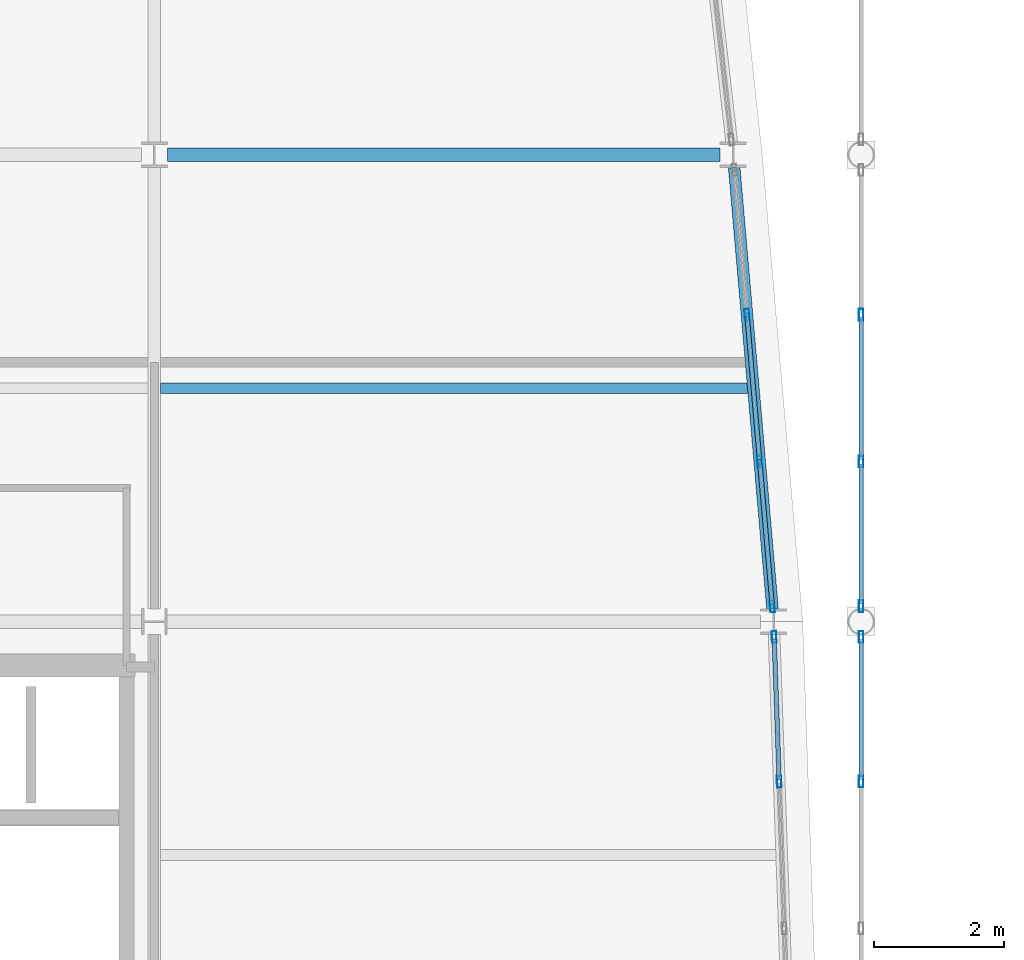
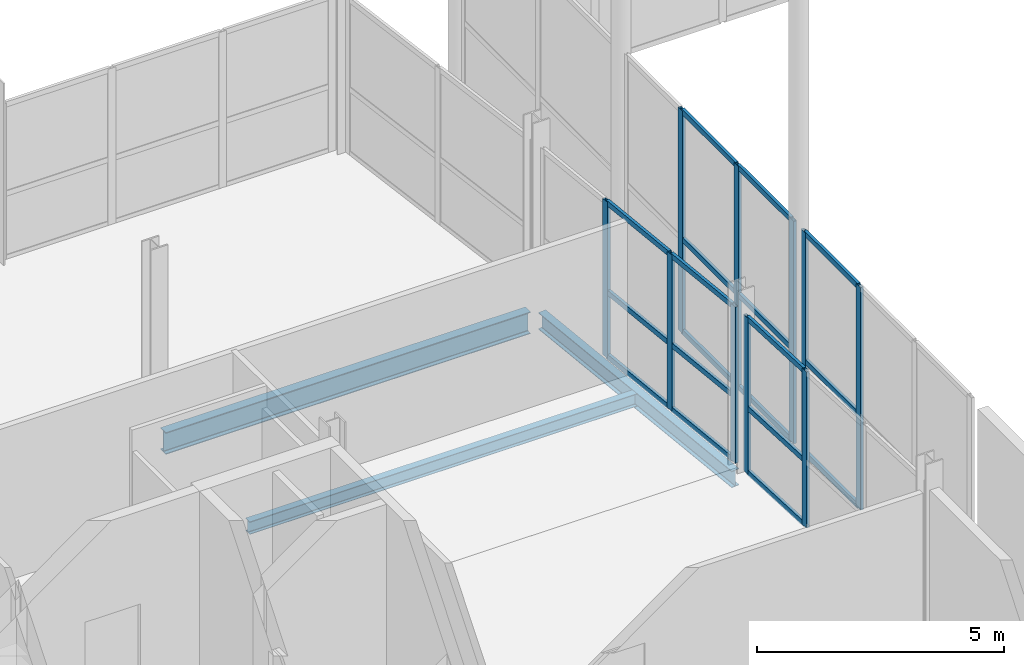
# One storey, part 34 of 77: 28 members, 3 beams, 4 elements without a shape of their own.
"""IFC4 building model written with IfcOpenShell, lengths in metres."""

import ifcopenshell
import ifcopenshell.guid

model = None  # the IFC model being written
_history = None  # IfcOwnerHistory: only IFC2X3 demands one
_inside = {}  # id of a spatial element -> (the spatial element, [elements in it])
_under = {}  # id of a project, library or spatial element -> (it, [spatial elements below it])
_declared = {}  # id of a project -> (the project, [libraries it declares])
_typed = {}  # id of a type object -> (the type object, [elements of that type])
_made_of = {}  # id of a material, layer set ... -> (it, [elements and type objects made of it])


def new_model(schema):
    """Start an empty IFC model of exactly this schema.

    Asked for "IFC4X3", IfcOpenShell would pick the latest addendum, in which some entities
    have other attributes; the version numbers below select the first issue.
    IFC2X3 requires an IfcOwnerHistory on every rooted entity: one is made here for all.
    """
    global model, _history
    if schema == "IFC4X3":
        model = ifcopenshell.file(schema_version=(4, 3, 0, 0))
    else:
        model = ifcopenshell.file(schema=schema)
    _inside.clear()
    _under.clear()
    _declared.clear()
    _typed.clear()
    _made_of.clear()
    _history = None
    if model.schema == "IFC2X3":
        org = make("IfcOrganization", Name="unknown")
        user = make(
            "IfcPersonAndOrganization",
            ThePerson=make("IfcPerson", FamilyName="unknown"),
            TheOrganization=org,
        )
        app = make(
            "IfcApplication",
            ApplicationDeveloper=org,
            Version="unknown",
            ApplicationFullName="unknown",
            ApplicationIdentifier="unknown",
        )
        _history = make(
            "IfcOwnerHistory",
            OwningUser=user,
            OwningApplication=app,
            ChangeAction="ADDED",
            CreationDate=0,
        )
    return model


def make(cls, **values):
    """One entity of the class cls with the attributes given. An attribute that is None is left unset."""
    return model.create_entity(
        cls, **{name: value for name, value in values.items() if value is not None}
    )


def rooted(cls, **values):
    """An entity with a GlobalId (a new one), such as an element, a storey or a relation."""
    return make(cls, GlobalId=ifcopenshell.guid.new(), OwnerHistory=_history, **values)


def si_unit(unit_type, name, prefix=None):
    """IfcSIUnit, for example si_unit("LENGTHUNIT", "METRE", prefix="MILLI")."""
    return make("IfcSIUnit", UnitType=unit_type, Prefix=prefix, Name=name)


def assignment(units):
    """IfcUnitAssignment: the units of a project."""
    return None if units is None else make("IfcUnitAssignment", Units=units)


def point(xyz):
    """IfcCartesianPoint."""
    return None if xyz is None else make("IfcCartesianPoint", Coordinates=xyz)


def direction(xyz):
    """IfcDirection."""
    return None if xyz is None else make("IfcDirection", DirectionRatios=xyz)


def frame(location, z_axis=None, x_axis=None):
    """IfcAxis2Placement3D, a coordinate frame: its origin and axes. An axis left out is left unset."""
    return make(
        "IfcAxis2Placement3D",
        Location=point(location),
        Axis=direction(z_axis),
        RefDirection=direction(x_axis),
    )


def frame_2d(location, x_axis=None):
    """IfcAxis2Placement2D, a coordinate frame in the plane: its origin and x axis."""
    return make(
        "IfcAxis2Placement2D", Location=point(location), RefDirection=direction(x_axis)
    )


def origin():
    """The frame at (0, 0, 0) with its axes left unset."""
    return frame((0.0, 0.0, 0.0))


def origin_2d():
    """The frame at (0, 0) in the plane with its x axis left unset."""
    return frame_2d((0.0, 0.0))


def place(relative_to, where):
    """IfcLocalPlacement: puts the frame where relative to a parent placement (None: the world)."""
    return make(
        "IfcLocalPlacement", PlacementRelTo=relative_to, RelativePlacement=where
    )


def context(
    kind, dimensions, precision=None, world=None, true_north=None, identifier=None
):
    """IfcGeometricRepresentationContext, for example the 3D "Model" context."""
    return make(
        "IfcGeometricRepresentationContext",
        ContextIdentifier=identifier,
        ContextType=kind,
        CoordinateSpaceDimension=dimensions,
        Precision=precision,
        WorldCoordinateSystem=world,
        TrueNorth=true_north,
    )


def subcontext(parent, identifier, kind, view, scale=None):
    """IfcGeometricRepresentationSubContext, for example "Body" below "Model"."""
    return make(
        "IfcGeometricRepresentationSubContext",
        ContextIdentifier=identifier,
        ContextType=kind,
        ParentContext=parent,
        TargetScale=scale,
        TargetView=view,
    )


def project(units=None, contexts=None):
    """IfcProject with its units and contexts."""
    return rooted(
        "IfcProject",
        Name="project",
        RepresentationContexts=contexts,
        UnitsInContext=assignment(units),
    )


def spatial(cls, under=None, at=None, **own):
    """A site, building, storey or space (cls), placed at a placement, below another one or the project."""
    s = rooted(cls, ObjectPlacement=at, **own)
    if under is not None:
        _under.setdefault(under.id(), (under, []))[1].append(s)
    return s


def profile(cls, at=None, kind="AREA", **sizes):
    """A parametric profile (cls). Its sizes go by their IFC names, for example OverallWidth=200.0."""
    return make(cls, ProfileType=kind, Position=at, **sizes)


def hollow_rectangle(**sizes):
    """IfcRectangleHollowProfileDef."""
    return profile("IfcRectangleHollowProfileDef", **sizes)


def i_section(**sizes):
    """IfcIShapeProfileDef."""
    return profile("IfcIShapeProfileDef", **sizes)


def extrude(swept, where, along, depth):
    """IfcExtrudedAreaSolid: the profile swept, set in the frame where, extruded along a direction by depth."""
    return make(
        "IfcExtrudedAreaSolid",
        SweptArea=swept,
        Position=where,
        ExtrudedDirection=direction(along),
        Depth=depth,
    )


def shape(context_of_items, identifier, shape_type, items):
    """IfcShapeRepresentation: the items that make up one representation, for example the "Body"."""
    return make(
        "IfcShapeRepresentation",
        ContextOfItems=context_of_items,
        RepresentationIdentifier=identifier,
        RepresentationType=shape_type,
        Items=items,
    )


def material(Name=None, Category=None):
    """IfcMaterial."""
    return make("IfcMaterial", Name=Name, Category=Category)


def layer(
    of_material, thickness, ventilated=None, Name=None, Category=None, Priority=None
):
    """IfcMaterialLayer: one layer of a wall or slab, of a material (None: an air gap)."""
    return make(
        "IfcMaterialLayer",
        Material=of_material,
        LayerThickness=thickness,
        IsVentilated=ventilated,
        Name=Name,
        Category=Category,
        Priority=Priority,
    )


def layer_set(layers, Name=None):
    """IfcMaterialLayerSet."""
    return make("IfcMaterialLayerSet", MaterialLayers=layers, LayerSetName=Name)


def material_profile(
    of_material, cross_section, Name=None, Category=None, Priority=None
):
    """IfcMaterialProfile: a cross section and its material."""
    return make(
        "IfcMaterialProfile",
        Name=Name,
        Material=of_material,
        Profile=cross_section,
        Priority=Priority,
        Category=Category,
    )


def profile_set(profiles, Name=None, composite=None):
    """IfcMaterialProfileSet."""
    return make(
        "IfcMaterialProfileSet",
        Name=Name,
        MaterialProfiles=profiles,
        CompositeProfile=composite,
    )


def made_of(thing, what):
    """Note that an element or type object is made of a material, layer set ...; save() writes the relation."""
    if what is not None:
        _made_of.setdefault(what.id(), (what, []))[1].append(thing)
    return thing


def type_object(cls, material=None, **own):
    """A type object (cls), such as IfcWallType, which elements share."""
    return made_of(rooted(cls, **own), material)


def element(
    cls,
    number,
    at=None,
    inside=None,
    cuts=None,
    type_object=None,
    material=None,
    context=None,
    identifier="Body",
    shape_type=None,
    held_by="IfcProductDefinitionShape",
    body=None,
    shapes=None,
    **own,
):
    """One element of the class cls, such as IfcWall. Its Tag is "e" and its number.

    at: its placement. inside: the storey or other place that contains it. cuts: it is an
    opening in that element (IfcRelVoidsElement). A single representation is given by context,
    identifier, shape_type and body (its items); several are given by shapes. held_by: the class
    of the entity that holds the representations. save() writes the other relations.
    """
    e = rooted(cls, Tag="e%d" % number, ObjectPlacement=at, **own)
    if body is not None:
        shapes = [shape(context, identifier, shape_type, body)]
    if shapes is not None:
        e.Representation = make(held_by, Representations=shapes)
    if inside is not None:
        _inside.setdefault(inside.id(), (inside, []))[1].append(e)
    if cuts is not None:
        rooted(
            "IfcRelVoidsElement", RelatingBuildingElement=cuts, RelatedOpeningElement=e
        )
    if type_object is not None:
        _typed.setdefault(type_object.id(), (type_object, []))[1].append(e)
    return made_of(e, material)


def aggregate(whole, parts):
    """IfcRelAggregates: a whole, such as a stair, and the parts it consists of."""
    return rooted("IfcRelAggregates", RelatingObject=whole, RelatedObjects=parts)


def save(model, path):
    """Write the relations noted so far, then the file.

    IfcRelAggregates (storeys below a building ...), IfcRelContainedInSpatialStructure (elements
    in a storey), IfcRelDefinesByType, IfcRelAssociatesMaterial and IfcRelDeclares: one each for
    every whole, place, type object, material and project.
    """
    for whole, parts in _under.values():
        aggregate(whole, parts)
    for where, things in _inside.values():
        rooted(
            "IfcRelContainedInSpatialStructure",
            RelatedElements=things,
            RelatingStructure=where,
        )
    for kind, things in _typed.values():
        rooted("IfcRelDefinesByType", RelatedObjects=things, RelatingType=kind)
    for what, things in _made_of.values():
        rooted("IfcRelAssociatesMaterial", RelatedObjects=things, RelatingMaterial=what)
    for by, libraries in _declared.values():
        rooted("IfcRelDeclares", RelatingContext=by, RelatedDefinitions=libraries)
    model.write(path)


model = new_model("IFC4")

# Units and contexts
model_context = context("Model", 3, precision=1e-05, world=origin(), true_north=direction((0.0, 1.0)))
body_context = subcontext(model_context, "Body", "Model", "MODEL_VIEW")
ifc_project = project(units=[si_unit("LENGTHUNIT", "METRE"), si_unit("AREAUNIT", "SQUARE_METRE"), si_unit("VOLUMEUNIT", "CUBIC_METRE"), si_unit("PLANEANGLEUNIT", "RADIAN"), si_unit("MASSUNIT", "GRAM", prefix="KILO")], contexts=[model_context])

# Site, building, storey
site_placement = place(None, origin())
site = spatial("IfcSite", under=ifc_project, at=site_placement, CompositionType="ELEMENT")
building_placement = place(site_placement, origin())
building = spatial("IfcBuilding", under=site, at=building_placement, Name="Quillay Park Conservatory", CompositionType="ELEMENT")
storey_placement = place(building_placement, frame((0.0, 0.0, 5.39990234375)))
storey = spatial("IfcBuildingStorey", under=building, at=storey_placement, Name="L01", CompositionType="ELEMENT", Elevation=5.39990234375)

# Beam
ifc_material_1 = material(Name="Steel ASTM A992 Grade 50", Category="steel")
ifc_material_profile_1 = material_profile(ifc_material_1, i_section(OverallWidth=0.166015625, OverallDepth=0.31298828125, WebThickness=0.006591796875, FlangeThickness=0.01123046875, FilletRadius=0.010009765625, at=origin_2d()), Name="W310x45")
ifc_profile_set_1 = profile_set([ifc_material_profile_1], Name="Steel ASTM A992 Grade 50")
beam_type_1 = type_object("IfcBeamType", Name="COMPOSITE FLOOR JOIST W310 X45", PredefinedType="JOIST", material=ifc_profile_set_1)
beam_1_placement = place(storey_placement, frame((19.845947265625, 103.199951171875, -0.3564453125), z_axis=(1.0, 0.0, 0.0), x_axis=(0.0, 1.0, 0.0)))
element("IfcBeam", 1, at=beam_1_placement, inside=storey, type_object=beam_type_1, Name="L01 beam BM-J-0167", PredefinedType="JOIST", context=body_context, shape_type="SweptSolid", body=[
    extrude(i_section(OverallWidth=0.166015625, OverallDepth=0.31298828125, WebThickness=0.006591796875, FlangeThickness=0.01123046875, FilletRadius=0.010009765625, at=origin_2d()), origin(), (0.0, 0.0, 1.0), 9.051513671875),
])

# Curtain wall, members
ifc_material_2 = material(Name="Thermally Broken Anodised Aluminium 6063-T6", Category="aluminium")
ifc_layer_1 = layer(ifc_material_2, 0.179931640625)
ifc_layer_set_1 = layer_set([ifc_layer_1], Name="UNITISED CURTAIN WALL TOWER (Thermally Broken Anodised Aluminium 6063-T6)")
curtain_wall_type_1 = type_object("IfcCurtainWallType", Name="UNITISED CURTAIN WALL TOWER", PredefinedType="USERDEFINED", material=ifc_layer_set_1)
curtain_wall_1_placement = place(storey_placement, origin())
curtain_wall_1 = element("IfcCurtainWall", 2, at=curtain_wall_1_placement, inside=storey, type_object=curtain_wall_type_1, Name="L01 Unitised Curtain Wall 013", ObjectType="UNITISED CURTAIN WALL", PredefinedType="USERDEFINED")
ifc_material_3 = material(Name="Thermally Broken Anodised Aluminium 6063-T6", Category="aluminium")
ifc_material_profile_2 = material_profile(ifc_material_3, hollow_rectangle(XDim=0.070068359375, YDim=0.179931640625, WallThickness=0.00390625, at=origin_2d()), Name="AL70x180x4")
ifc_profile_set_2 = profile_set([ifc_material_profile_2], Name="Thermally Broken Anodised Aluminium 6063-T6")
member_type_1 = type_object("IfcMemberType", Name="CURTAIN WALL MULLION 70 X180", PredefinedType="MULLION", material=ifc_profile_set_2)
member_1_placement = place(storey_placement, frame((29.30810546875, 99.365234375, 0.0), z_axis=(0.0, 0.0, 1.0), x_axis=(0.999397310446, 0.034713338537, 0.0)))
member_1 = element("IfcMember", 3, at=member_1_placement, type_object=member_type_1, Name="CW-T1 mullion 1", PredefinedType="MULLION", context=body_context, shape_type="SweptSolid", body=[
    extrude(hollow_rectangle(XDim=0.070068359375, YDim=0.179931640625, WallThickness=0.00390625, at=origin_2d()), origin(), (0.0, 0.0, 1.0), 3.859130859375),
])
member_2_placement = place(storey_placement, frame((29.3857421875, 97.13330078125, 0.0), z_axis=(0.0, 0.0, 1.0), x_axis=(0.999397310446, 0.034713338537, 0.0)))
member_2 = element("IfcMember", 4, at=member_2_placement, type_object=member_type_1, Name="CW-T1 mullion 2", PredefinedType="MULLION", context=body_context, shape_type="SweptSolid", body=[
    extrude(hollow_rectangle(XDim=0.070068359375, YDim=0.179931640625, WallThickness=0.00390625, at=origin_2d()), origin(), (0.0, 0.0, 1.0), 3.859130859375),
])

curtain_wall_2_placement = place(storey_placement, origin())
curtain_wall_2 = element("IfcCurtainWall", 5, at=curtain_wall_2_placement, inside=storey, type_object=curtain_wall_type_1, Name="L01 Unitised Curtain Wall 014", ObjectType="UNITISED CURTAIN WALL", PredefinedType="USERDEFINED")
member_3_placement = place(storey_placement, frame((28.88916015625, 104.33349609375, 0.0), z_axis=(0.0, 0.0, 1.0), x_axis=(0.996253548413, 0.086480444465, 0.0)))
member_3 = element("IfcMember", 6, at=member_3_placement, type_object=member_type_1, Name="CW-T1 mullion 2", PredefinedType="MULLION", context=body_context, shape_type="SweptSolid", body=[
    extrude(hollow_rectangle(XDim=0.070068359375, YDim=0.179931640625, WallThickness=0.00390625, at=origin_2d()), origin(), (0.0, 0.0, 1.0), 3.859130859375),
])
member_4_placement = place(storey_placement, frame((29.0859375, 102.06640625, 0.0), z_axis=(0.0, 0.0, 1.0), x_axis=(0.996253548413, 0.086480444465, 0.0)))
member_4 = element("IfcMember", 7, at=member_4_placement, type_object=member_type_1, Name="CW-T1 mullion 3", PredefinedType="MULLION", context=body_context, shape_type="SweptSolid", body=[
    extrude(hollow_rectangle(XDim=0.070068359375, YDim=0.179931640625, WallThickness=0.00390625, at=origin_2d()), origin(), (0.0, 0.0, 1.0), 3.859130859375),
])
member_5_placement = place(storey_placement, frame((29.27978515625, 99.834228515625, 0.0), z_axis=(0.0, 0.0, 1.0), x_axis=(0.996253548413, 0.086480444465, 0.0)))
member_5 = element("IfcMember", 8, at=member_5_placement, type_object=member_type_1, Name="CW-T1 mullion 4", PredefinedType="MULLION", context=body_context, shape_type="SweptSolid", body=[
    extrude(hollow_rectangle(XDim=0.070068359375, YDim=0.179931640625, WallThickness=0.00390625, at=origin_2d()), origin(), (0.0, 0.0, 1.0), 3.859130859375),
])

ifc_material_4 = material(Name="Thermally Broken Anodised Aluminium 6063-T6", Category="aluminium")
ifc_layer_2 = layer(ifc_material_4, 0.219970703125)
ifc_layer_set_2 = layer_set([ifc_layer_2], Name="UNITISED CURTAIN WALL CONSERVATORY (Thermally Broken Anodised Aluminium 6063-T6)")
curtain_wall_type_2 = type_object("IfcCurtainWallType", Name="UNITISED CURTAIN WALL CONSERVATORY", PredefinedType="USERDEFINED", material=ifc_layer_set_2)
curtain_wall_3_placement = place(storey_placement, origin())
curtain_wall_3 = element("IfcCurtainWall", 9, at=curtain_wall_3_placement, inside=storey, type_object=curtain_wall_type_2, Name="L01 Unitised Curtain Wall 164", ObjectType="UNITISED CURTAIN WALL", PredefinedType="USERDEFINED")
member_6_placement = place(storey_placement, frame((30.64990234375, 97.132568359375, 0.0), z_axis=(0.0, 0.0, 1.0), x_axis=(-1.0, 0.0, 0.0)))
member_6 = element("IfcMember", 10, at=member_6_placement, type_object=member_type_1, Name="CW-C1 mullion 3", PredefinedType="MULLION", context=body_context, shape_type="SweptSolid", body=[
    extrude(hollow_rectangle(XDim=0.070068359375, YDim=0.179931640625, WallThickness=0.00390625, at=origin_2d()), origin(), (0.0, 0.0, 1.0), 5.5),
])
member_7_placement = place(storey_placement, frame((30.64990234375, 99.363037109375, 0.0), z_axis=(0.0, 0.0, 1.0), x_axis=(-1.0, 0.0, 0.0)))
member_7 = element("IfcMember", 11, at=member_7_placement, type_object=member_type_1, Name="CW-C1 mullion 4", PredefinedType="MULLION", context=body_context, shape_type="SweptSolid", body=[
    extrude(hollow_rectangle(XDim=0.070068359375, YDim=0.179931640625, WallThickness=0.00390625, at=origin_2d()), origin(), (0.0, 0.0, 1.0), 5.5),
])

curtain_wall_4_placement = place(storey_placement, origin())
curtain_wall_4 = element("IfcCurtainWall", 12, at=curtain_wall_4_placement, inside=storey, type_object=curtain_wall_type_2, Name="L01 Unitised Curtain Wall 168", ObjectType="UNITISED CURTAIN WALL", PredefinedType="USERDEFINED")
member_8_placement = place(storey_placement, frame((30.64990234375, 99.8369140625, 0.0), z_axis=(0.0, 0.0, 1.0), x_axis=(-1.0, 0.0, 0.0)))
member_8 = element("IfcMember", 13, at=member_8_placement, type_object=member_type_1, Name="CW-C1 mullion 1", PredefinedType="MULLION", context=body_context, shape_type="SweptSolid", body=[
    extrude(hollow_rectangle(XDim=0.070068359375, YDim=0.179931640625, WallThickness=0.00390625, at=origin_2d()), origin(), (0.0, 0.0, 1.0), 5.5),
])
member_9_placement = place(storey_placement, frame((30.64990234375, 102.0673828125, 0.0), z_axis=(0.0, 0.0, 1.0), x_axis=(-1.0, 0.0, 0.0)))
member_9 = element("IfcMember", 14, at=member_9_placement, type_object=member_type_1, Name="CW-C1 mullion 2", PredefinedType="MULLION", context=body_context, shape_type="SweptSolid", body=[
    extrude(hollow_rectangle(XDim=0.070068359375, YDim=0.179931640625, WallThickness=0.00390625, at=origin_2d()), origin(), (0.0, 0.0, 1.0), 5.5),
])
member_10_placement = place(storey_placement, frame((30.64990234375, 104.332763671875, 0.0), z_axis=(0.0, 0.0, 1.0), x_axis=(-1.0, 0.0, 0.0)))
member_10 = element("IfcMember", 15, at=member_10_placement, type_object=member_type_1, Name="CW-C1 mullion 3", PredefinedType="MULLION", context=body_context, shape_type="SweptSolid", body=[
    extrude(hollow_rectangle(XDim=0.070068359375, YDim=0.179931640625, WallThickness=0.00390625, at=origin_2d()), origin(), (0.0, 0.0, 1.0), 5.5),
])

# Member
ifc_material_5 = material(Name="Thermally Broken Anodised Aluminium 6063-T6", Category="aluminium")
ifc_material_profile_3 = material_profile(ifc_material_5, hollow_rectangle(XDim=0.070068359375, YDim=0.1298828125, WallThickness=0.003173828125, at=origin_2d()), Name="AL70x130x3.2")
ifc_profile_set_3 = profile_set([ifc_material_profile_3], Name="Thermally Broken Anodised Aluminium 6063-T6")
member_type_2 = type_object("IfcMemberType", Name="CURTAIN WALL TRANSOM 70 X130", PredefinedType="USERDEFINED", material=ifc_profile_set_3)
member_11_placement = place(storey_placement, frame((29.309326171875, 99.330078125, 0.03515625), z_axis=(0.034765508592, -0.999395496994, 0.0), x_axis=(0.999395496994, 0.034765508592, 0.0)))
member_11 = element("IfcMember", 16, at=member_11_placement, type_object=member_type_2, Name="CW-T1 transom 1.1", ObjectType="TRANSOM", PredefinedType="USERDEFINED", context=body_context, shape_type="SweptSolid", body=[
    extrude(hollow_rectangle(XDim=0.070068359375, YDim=0.1298828125, WallThickness=0.003173828125, at=origin_2d()), origin(), (0.0, 0.0, 1.0), 2.162841796875),
])

member_12_placement = place(storey_placement, frame((29.309326171875, 99.330078125, 1.620849609375), z_axis=(0.034765508592, -0.999395496994, 0.0), x_axis=(0.999395496994, 0.034765508592, 0.0)))
member_12 = element("IfcMember", 17, at=member_12_placement, type_object=member_type_2, Name="CW-T1 transom 1.2", ObjectType="TRANSOM", PredefinedType="USERDEFINED", context=body_context, shape_type="SweptSolid", body=[
    extrude(hollow_rectangle(XDim=0.070068359375, YDim=0.1298828125, WallThickness=0.003173828125, at=origin_2d()), origin(), (0.0, 0.0, 1.0), 2.162841796875),
])

member_13_placement = place(storey_placement, frame((29.309326171875, 99.330078125, 3.82421875), z_axis=(0.034765508592, -0.999395496994, 0.0), x_axis=(0.999395496994, 0.034765508592, 0.0)))
member_13 = element("IfcMember", 18, at=member_13_placement, type_object=member_type_2, Name="CW-T1 transom 1.3", ObjectType="TRANSOM", PredefinedType="USERDEFINED", context=body_context, shape_type="SweptSolid", body=[
    extrude(hollow_rectangle(XDim=0.070068359375, YDim=0.1298828125, WallThickness=0.003173828125, at=origin_2d()), origin(), (0.0, 0.0, 1.0), 2.162841796875),
])

aggregate(curtain_wall_1, [member_1, member_2, member_11, member_12, member_13])

member_14_placement = place(storey_placement, frame((28.89208984375, 104.298583984375, 0.03515625), z_axis=(0.086452876664, -0.99625594107, 0.0), x_axis=(0.99625594107, 0.086452876664, 0.0)))
member_14 = element("IfcMember", 19, at=member_14_placement, type_object=member_type_2, Name="CW-T1 transom 2.1", ObjectType="TRANSOM", PredefinedType="USERDEFINED", context=body_context, shape_type="SweptSolid", body=[
    extrude(hollow_rectangle(XDim=0.070068359375, YDim=0.1298828125, WallThickness=0.003173828125, at=origin_2d()), origin(), (0.0, 0.0, 1.0), 2.20556640625),
])

member_15_placement = place(storey_placement, frame((28.89208984375, 104.298583984375, 1.620849609375), z_axis=(0.086452876664, -0.99625594107, 0.0), x_axis=(0.99625594107, 0.086452876664, 0.0)))
member_15 = element("IfcMember", 20, at=member_15_placement, type_object=member_type_2, Name="CW-T1 transom 2.2", ObjectType="TRANSOM", PredefinedType="USERDEFINED", context=body_context, shape_type="SweptSolid", body=[
    extrude(hollow_rectangle(XDim=0.070068359375, YDim=0.1298828125, WallThickness=0.003173828125, at=origin_2d()), origin(), (0.0, 0.0, 1.0), 2.20556640625),
])

member_16_placement = place(storey_placement, frame((28.89208984375, 104.298583984375, 3.82421875), z_axis=(0.086452876664, -0.99625594107, 0.0), x_axis=(0.99625594107, 0.086452876664, 0.0)))
member_16 = element("IfcMember", 21, at=member_16_placement, type_object=member_type_2, Name="CW-T1 transom 2.3", ObjectType="TRANSOM", PredefinedType="USERDEFINED", context=body_context, shape_type="SweptSolid", body=[
    extrude(hollow_rectangle(XDim=0.070068359375, YDim=0.1298828125, WallThickness=0.003173828125, at=origin_2d()), origin(), (0.0, 0.0, 1.0), 2.20556640625),
])

member_17_placement = place(storey_placement, frame((29.0888671875, 102.031494140625, 0.03515625), z_axis=(0.086498562623, -0.996251975488, 0.0), x_axis=(0.996251975488, 0.086498562623, 0.0)))
member_17 = element("IfcMember", 22, at=member_17_placement, type_object=member_type_2, Name="CW-T1 transom 3.1", ObjectType="TRANSOM", PredefinedType="USERDEFINED", context=body_context, shape_type="SweptSolid", body=[
    extrude(hollow_rectangle(XDim=0.070068359375, YDim=0.1298828125, WallThickness=0.003173828125, at=origin_2d()), origin(), (0.0, 0.0, 1.0), 2.17041015625),
])

member_18_placement = place(storey_placement, frame((29.0888671875, 102.031494140625, 1.620849609375), z_axis=(0.086498562623, -0.996251975488, 0.0), x_axis=(0.996251975488, 0.086498562623, 0.0)))
member_18 = element("IfcMember", 23, at=member_18_placement, type_object=member_type_2, Name="CW-T1 transom 3.2", ObjectType="TRANSOM", PredefinedType="USERDEFINED", context=body_context, shape_type="SweptSolid", body=[
    extrude(hollow_rectangle(XDim=0.070068359375, YDim=0.1298828125, WallThickness=0.003173828125, at=origin_2d()), origin(), (0.0, 0.0, 1.0), 2.17041015625),
])

member_19_placement = place(storey_placement, frame((29.0888671875, 102.031494140625, 3.82421875), z_axis=(0.086498562623, -0.996251975488, 0.0), x_axis=(0.996251975488, 0.086498562623, 0.0)))
member_19 = element("IfcMember", 24, at=member_19_placement, type_object=member_type_2, Name="CW-T1 transom 3.3", ObjectType="TRANSOM", PredefinedType="USERDEFINED", context=body_context, shape_type="SweptSolid", body=[
    extrude(hollow_rectangle(XDim=0.070068359375, YDim=0.1298828125, WallThickness=0.003173828125, at=origin_2d()), origin(), (0.0, 0.0, 1.0), 2.17041015625),
])

aggregate(curtain_wall_2, [member_3, member_4, member_5, member_14, member_15, member_16, member_17, member_18, member_19])

member_20_placement = place(storey_placement, frame((30.64990234375, 97.167724609375, 0.03515625), z_axis=(0.0, 1.0, 0.0), x_axis=(-1.0, 0.0, 0.0)))
member_20 = element("IfcMember", 25, at=member_20_placement, type_object=member_type_2, Name="CW-C1 transom 3.1", ObjectType="TRANSOM", PredefinedType="USERDEFINED", context=body_context, shape_type="SweptSolid", body=[
    extrude(hollow_rectangle(XDim=0.070068359375, YDim=0.1298828125, WallThickness=0.003173828125, at=origin_2d()), origin(), (0.0, 0.0, 1.0), 2.16015625),
])

member_21_placement = place(storey_placement, frame((30.64990234375, 97.167724609375, 2.31005859375), z_axis=(0.0, 1.0, 0.0), x_axis=(-1.0, 0.0, 0.0)))
member_21 = element("IfcMember", 26, at=member_21_placement, type_object=member_type_2, Name="CW-C1 transom 3.2", ObjectType="TRANSOM", PredefinedType="USERDEFINED", context=body_context, shape_type="SweptSolid", body=[
    extrude(hollow_rectangle(XDim=0.070068359375, YDim=0.1298828125, WallThickness=0.003173828125, at=origin_2d()), origin(), (0.0, 0.0, 1.0), 2.16015625),
])

member_22_placement = place(storey_placement, frame((30.64990234375, 97.167724609375, 5.465087890625), z_axis=(0.0, 1.0, 0.0), x_axis=(-1.0, 0.0, 0.0)))
member_22 = element("IfcMember", 27, at=member_22_placement, type_object=member_type_2, Name="CW-C1 transom 3.3", ObjectType="TRANSOM", PredefinedType="USERDEFINED", context=body_context, shape_type="SweptSolid", body=[
    extrude(hollow_rectangle(XDim=0.070068359375, YDim=0.1298828125, WallThickness=0.003173828125, at=origin_2d()), origin(), (0.0, 0.0, 1.0), 2.16015625),
])

aggregate(curtain_wall_3, [member_6, member_7, member_20, member_21, member_22])

member_23_placement = place(storey_placement, frame((30.64990234375, 99.8720703125, 0.03515625), z_axis=(0.0, 1.0, 0.0), x_axis=(-1.0, 0.0, 0.0)))
member_23 = element("IfcMember", 28, at=member_23_placement, type_object=member_type_2, Name="CW-C1 transom 1.1", ObjectType="TRANSOM", PredefinedType="USERDEFINED", context=body_context, shape_type="SweptSolid", body=[
    extrude(hollow_rectangle(XDim=0.070068359375, YDim=0.1298828125, WallThickness=0.003173828125, at=origin_2d()), origin(), (0.0, 0.0, 1.0), 2.16015625),
])

member_24_placement = place(storey_placement, frame((30.64990234375, 99.8720703125, 2.31005859375), z_axis=(0.0, 1.0, 0.0), x_axis=(-1.0, 0.0, 0.0)))
member_24 = element("IfcMember", 29, at=member_24_placement, type_object=member_type_2, Name="CW-C1 transom 1.2", ObjectType="TRANSOM", PredefinedType="USERDEFINED", context=body_context, shape_type="SweptSolid", body=[
    extrude(hollow_rectangle(XDim=0.070068359375, YDim=0.1298828125, WallThickness=0.003173828125, at=origin_2d()), origin(), (0.0, 0.0, 1.0), 2.16015625),
])

member_25_placement = place(storey_placement, frame((30.64990234375, 99.8720703125, 5.465087890625), z_axis=(0.0, 1.0, 0.0), x_axis=(-1.0, 0.0, 0.0)))
member_25 = element("IfcMember", 30, at=member_25_placement, type_object=member_type_2, Name="CW-C1 transom 1.3", ObjectType="TRANSOM", PredefinedType="USERDEFINED", context=body_context, shape_type="SweptSolid", body=[
    extrude(hollow_rectangle(XDim=0.070068359375, YDim=0.1298828125, WallThickness=0.003173828125, at=origin_2d()), origin(), (0.0, 0.0, 1.0), 2.16015625),
])

member_26_placement = place(storey_placement, frame((30.64990234375, 102.102294921875, 0.03515625), z_axis=(0.0, 1.0, 0.0), x_axis=(-1.0, 0.0, 0.0)))
member_26 = element("IfcMember", 31, at=member_26_placement, type_object=member_type_2, Name="CW-C1 transom 2.1", ObjectType="TRANSOM", PredefinedType="USERDEFINED", context=body_context, shape_type="SweptSolid", body=[
    extrude(hollow_rectangle(XDim=0.070068359375, YDim=0.1298828125, WallThickness=0.003173828125, at=origin_2d()), origin(), (0.0, 0.0, 1.0), 2.1953125),
])

member_27_placement = place(storey_placement, frame((30.64990234375, 102.102294921875, 2.31005859375), z_axis=(0.0, 1.0, 0.0), x_axis=(-1.0, 0.0, 0.0)))
member_27 = element("IfcMember", 32, at=member_27_placement, type_object=member_type_2, Name="CW-C1 transom 2.2", ObjectType="TRANSOM", PredefinedType="USERDEFINED", context=body_context, shape_type="SweptSolid", body=[
    extrude(hollow_rectangle(XDim=0.070068359375, YDim=0.1298828125, WallThickness=0.003173828125, at=origin_2d()), origin(), (0.0, 0.0, 1.0), 2.1953125),
])

member_28_placement = place(storey_placement, frame((30.64990234375, 102.102294921875, 5.465087890625), z_axis=(0.0, 1.0, 0.0), x_axis=(-1.0, 0.0, 0.0)))
member_28 = element("IfcMember", 33, at=member_28_placement, type_object=member_type_2, Name="CW-C1 transom 2.3", ObjectType="TRANSOM", PredefinedType="USERDEFINED", context=body_context, shape_type="SweptSolid", body=[
    extrude(hollow_rectangle(XDim=0.070068359375, YDim=0.1298828125, WallThickness=0.003173828125, at=origin_2d()), origin(), (0.0, 0.0, 1.0), 2.1953125),
])

aggregate(curtain_wall_4, [member_8, member_9, member_10, member_23, member_24, member_25, member_26, member_27, member_28])

# Beams
ifc_material_6 = material(Name="Steel ASTM A992 Grade 50", Category="steel")
ifc_material_profile_4 = material_profile(ifc_material_6, i_section(OverallWidth=0.179931640625, OverallDepth=0.4130859375, WebThickness=0.009765625, FlangeThickness=0.01611328125, FilletRadius=0.011962890625, at=origin_2d()), Name="W410x74")
ifc_profile_set_4 = profile_set([ifc_material_profile_4], Name="Steel ASTM A992 Grade 50")
beam_type_2 = type_object("IfcBeamType", Name="PERIMETER SPANDREL BEAM W410 X74", PredefinedType="SPANDREL", material=ifc_profile_set_4)
beam_2_placement = place(storey_placement, frame((29.282958984375, 99.7958984375, -0.406494140625), z_axis=(-0.08648933098, 0.996252776973, 0.0), x_axis=(-0.996252776973, -0.08648933098, 0.0)))
element("IfcBeam", 34, at=beam_2_placement, inside=storey, type_object=beam_type_2, Name="L01 beam BM-SPE-0163", PredefinedType="SPANDREL", context=body_context, shape_type="SweptSolid", body=[
    extrude(i_section(OverallWidth=0.179931640625, OverallDepth=0.4130859375, WebThickness=0.009765625, FlangeThickness=0.01611328125, FilletRadius=0.011962890625, at=origin_2d()), origin(), (0.0, 0.0, 1.0), 6.833984375),
])
ifc_material_7 = material(Name="Steel ASTM A992 Grade 50", Category="steel")
ifc_material_profile_5 = material_profile(ifc_material_7, i_section(OverallWidth=0.2109375, OverallDepth=0.5390625, WebThickness=0.01171875, FlangeThickness=0.018798828125, FilletRadius=0.013916015625, at=origin_2d()), Name="W530x109")
ifc_profile_set_5 = profile_set([ifc_material_profile_5], Name="Steel ASTM A992 Grade 50")
beam_type_3 = type_object("IfcBeamType", Name="PRIMARY FLOOR GIRDER W530 X109", PredefinedType="BEAM", material=ifc_profile_set_5)
beam_3_placement = place(storey_placement, frame((19.949462890625, 106.800048828125, -0.469482421875), z_axis=(1.0, 0.0, 0.0), x_axis=(0.0, 1.0, 0.0)))
element("IfcBeam", 35, at=beam_3_placement, inside=storey, type_object=beam_type_3, Name="L01 beam BM-G-0126", PredefinedType="BEAM", context=body_context, shape_type="SweptSolid", body=[
    extrude(i_section(OverallWidth=0.2109375, OverallDepth=0.5390625, WebThickness=0.01171875, FlangeThickness=0.018798828125, FilletRadius=0.013916015625, at=origin_2d()), origin(), (0.0, 0.0, 1.0), 8.526123046875),
])

save(model, "model.ifc")
